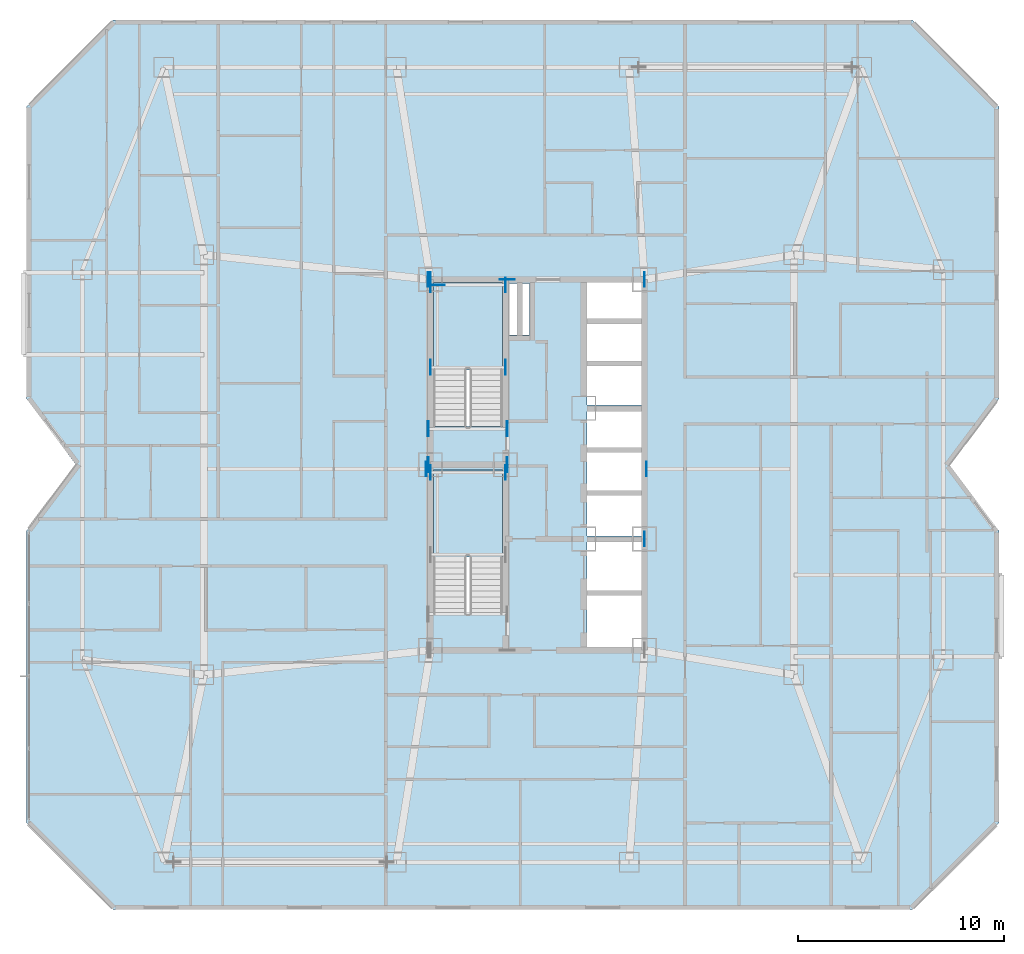
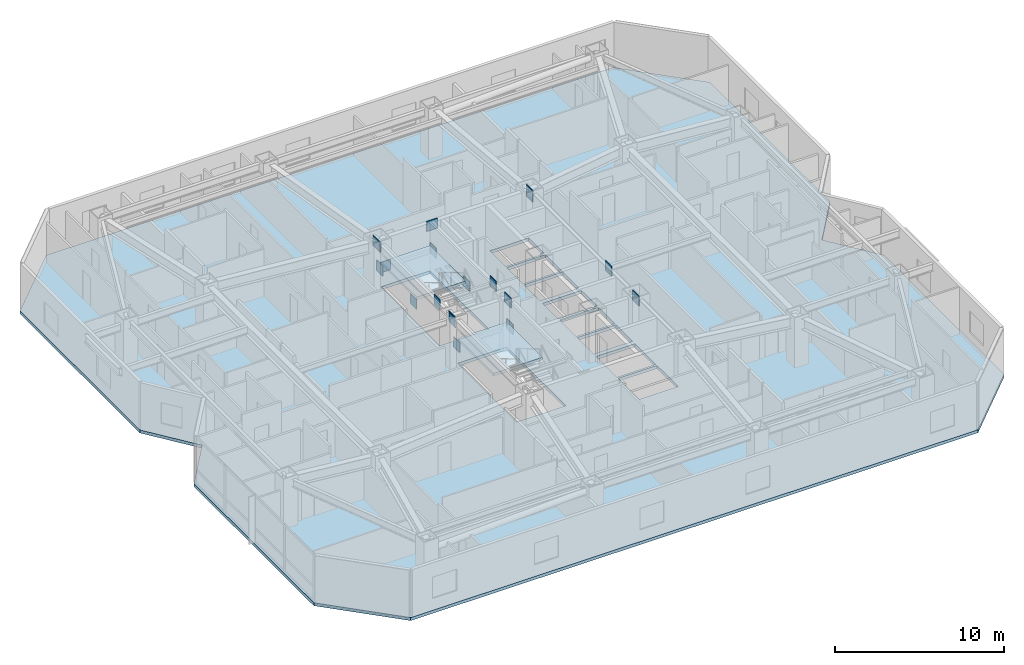
# One storey, part 8 of 19: 19 plates, 3 slabs, 2 elements without a shape of their own.
"""IFC4 building model written with IfcOpenShell, lengths in metres."""

from ifc_helpers import new_model, si_unit, direction, frame, origin, origin_2d, place, context, subcontext, project, spatial, polyline, rectangle, outline, extrude, material, layer, layer_set, type_object, element, aggregate, save


model = new_model("IFC4")

# Units and contexts
model_context = context("Model", 3, precision=1e-05, world=origin(), true_north=direction((0.0, 1.0)))
body_context = subcontext(model_context, "Body", "Model", "MODEL_VIEW")
ifc_project = project(units=[si_unit("LENGTHUNIT", "METRE"), si_unit("AREAUNIT", "SQUARE_METRE"), si_unit("VOLUMEUNIT", "CUBIC_METRE"), si_unit("PLANEANGLEUNIT", "RADIAN"), si_unit("MASSUNIT", "GRAM", prefix="KILO")], contexts=[model_context])

# Site, building, storey
site_placement = place(None, origin())
site = spatial("IfcSite", under=ifc_project, at=site_placement, CompositionType="ELEMENT")
building_placement = place(site_placement, origin())
building = spatial("IfcBuilding", under=site, at=building_placement, Name="Khamvora Tower", CompositionType="ELEMENT")
storey_placement = place(building_placement, frame((0.0, 0.0, 120.14990234375)))
storey = spatial("IfcBuildingStorey", under=building, at=storey_placement, Name="L30", CompositionType="ELEMENT", Elevation=120.14990234375)

# Plates
ifc_material_1 = material(Name="Steel S460", Category="steel")
ifc_layer_1 = layer(ifc_material_1, 0.034912109375)
ifc_layer_set_1 = layer_set([ifc_layer_1], Name="Steel S460")
plate_type = type_object("IfcPlateType", Name="PL-EMB-35", PredefinedType="SHEET", material=ifc_layer_set_1)
for number, where, z_axis, x_axis, name in (
    (1, (29.0, 27.6298828125, 1.13427734375), (0.0, 0.0, 1.0), (1.0, 0.0, 0.0), "L30 core shear wall cast-in embed plate 0882"),
    (2, (32.64990234375, 27.6298828125, 1.13427734375), (0.0, 0.0, 1.0), (1.0, 0.0, 0.0), "L30 core shear wall cast-in embed plate 0883"),
    (3, (29.0, 32.735107421875, 1.13427734375), (0.0, 0.0, 1.0), (1.0, 0.0, 0.0), "L30 core shear wall cast-in embed plate 0884"),
    (4, (32.64990234375, 32.735107421875, 1.13427734375), (0.0, 0.0, 1.0), (1.0, 0.0, 0.0), "L30 core shear wall cast-in embed plate 0885"),
    (5, (29.0, 36.72998046875, 1.13427734375), (0.0, 0.0, 1.0), (1.0, 0.0, 0.0), "L30 core shear wall cast-in embed plate 0886"),
    (6, (32.64990234375, 36.72998046875, 1.13427734375), (0.0, 0.0, 1.0), (1.0, 0.0, 0.0), "L30 core shear wall cast-in embed plate 0887"),
):
    element("IfcPlate", number, at=place(storey_placement, frame(where, z_axis=z_axis, x_axis=x_axis)), inside=storey, type_object=plate_type, Name=name, PredefinedType="SHEET", context=body_context, shape_type="SweptSolid", body=[
        extrude(rectangle(XDim=0.034912109375, YDim=0.719970703125, at=origin_2d()), origin(), (0.0, 0.0, 1.0), 0.719970703125),
    ])
plate_1_placement = place(storey_placement, frame((29.35009765625, 36.72998046875, 1.13427734375), z_axis=(0.0, 0.0, 1.0), x_axis=(1.0, 0.0, 0.0)))
element("IfcPlate", 7, at=plate_1_placement, inside=storey, type_object=plate_type, Name="L30 core shear wall cast-in embed plate 0888", PredefinedType="SHEET", context=body_context, shape_type="SweptSolid", body=[
    extrude(rectangle(XDim=0.719970703125, YDim=0.034912109375, at=origin_2d()), origin(), (0.0, 0.0, 1.0), 0.719970703125),
])
for number, where, z_axis, x_axis, name in (
    (8, (29.0, 37.0, 2.68408203125), (0.0, 0.0, 1.0), (1.0, 0.0, 0.0), "L30 core shear wall cast-in embed plate 0891"),
    (9, (39.39990234375, 37.0, 2.68408203125), (0.0, 0.0, 1.0), (1.0, 0.0, 0.0), "L30 core shear wall cast-in embed plate 0892"),
    (10, (28.89990234375, 28.0, 2.80419921875), (0.0, 0.0, 1.0), (1.0, 0.0, 0.0), "L30 core shear wall cast-in embed plate 0894"),
    (11, (28.89990234375, 37.0, 2.80419921875), (0.0, 0.0, 1.0), (1.0, 0.0, 0.0), "L30 core shear wall cast-in embed plate 0895"),
    (12, (32.72998046875, 28.0, 2.80419921875), (0.0, 0.0, 1.0), (1.0, 0.0, 0.0), "L30 core shear wall cast-in embed plate 0897"),
):
    element("IfcPlate", number, at=place(storey_placement, frame(where, z_axis=z_axis, x_axis=x_axis)), inside=storey, type_object=plate_type, Name=name, PredefinedType="SHEET", context=body_context, shape_type="SweptSolid", body=[
        extrude(rectangle(XDim=0.034912109375, YDim=0.719970703125, at=origin_2d()), origin(), (0.0, 0.0, 1.0), 0.719970703125),
    ])
plate_2_placement = place(storey_placement, frame((32.72998046875, 37.0, 2.80419921875), z_axis=(0.0, 0.0, 1.0), x_axis=(1.0, 0.0, 0.0)))
element("IfcPlate", 13, at=plate_2_placement, inside=storey, type_object=plate_type, Name="L30 core shear wall cast-in embed plate 0898", PredefinedType="SHEET", context=body_context, shape_type="SweptSolid", body=[
    extrude(rectangle(XDim=0.719970703125, YDim=0.034912109375, at=origin_2d()), origin(), (0.0, 0.0, 1.0), 0.719970703125),
])
for number, where, z_axis, x_axis, name in (
    (14, (39.39990234375, 24.39990234375, 2.80419921875), (0.0, 0.0, 1.0), (1.0, 0.0, 0.0), "L30 core shear wall cast-in embed plate 0900"),
    (15, (39.39990234375, 37.0, 2.80419921875), (0.0, 0.0, 1.0), (1.0, 0.0, 0.0), "L30 core shear wall cast-in embed plate 0901"),
    (16, (28.89990234375, 29.75, 2.9443359375), (0.0, 0.0, 1.0), (1.0, 0.0, 0.0), "L30 core shear wall cast-in embed plate 0904"),
    (17, (32.72998046875, 29.75, 2.9443359375), (0.0, 0.0, 1.0), (1.0, 0.0, 0.0), "L30 core shear wall cast-in embed plate 0905"),
    (18, (28.800048828125, 27.800048828125, 2.8662109375), (0.0, 0.0, 1.0), (1.0, 0.0, 0.0), "L30 core shear wall cast-in embed plate 0906"),
    (19, (39.4990234375, 27.800048828125, 2.8662109375), (0.0, 0.0, 1.0), (1.0, 0.0, 0.0), "L30 core shear wall cast-in embed plate 0907"),
):
    element("IfcPlate", number, at=place(storey_placement, frame(where, z_axis=z_axis, x_axis=x_axis)), inside=storey, type_object=plate_type, Name=name, PredefinedType="SHEET", context=body_context, shape_type="SweptSolid", body=[
        extrude(rectangle(XDim=0.034912109375, YDim=0.719970703125, at=origin_2d()), origin(), (0.0, 0.0, 1.0), 0.719970703125),
    ])

# Stair, slab
ifc_material_2 = material(Name="Concrete C40/50", Category="concrete")
stair_type_1 = type_object("IfcStairType", Name="STR-ST-01", PredefinedType="HALF_TURN_STAIR", material=ifc_material_2)
stair_1_placement = place(storey_placement, origin())
stair_1 = element("IfcStair", 20, at=stair_1_placement, inside=storey, type_object=stair_type_1, Name="L30 South Tower Exit Stair ST-01", PredefinedType="HALF_TURN_STAIR")
ifc_layer_2 = layer(ifc_material_2, 0.199951171875)
ifc_layer_set_2 = layer_set([ifc_layer_2], Name="Concrete C40/50")
slab_type_1 = type_object("IfcSlabType", Name="SLB-LND-200", PredefinedType="LANDING", material=ifc_layer_set_2)
slab_1_placement = place(storey_placement, frame((0.0, 0.0, 1.625)))
slab_1 = element("IfcSlab", 21, at=slab_1_placement, type_object=slab_type_1, Name="ST-01 landing 1", PredefinedType="LANDING", context=body_context, shape_type="SweptSolid", body=[
    extrude(outline(polyline([(32.5, 23.514892578125), (32.5, 27.75), (29.14990234375, 27.75), (29.14990234375, 23.514892578125), (32.5, 23.514892578125)])), origin(), (0.0, 0.0, 1.0), 0.2001953125),
])
aggregate(stair_1, [slab_1])

stair_type_2 = type_object("IfcStairType", Name="STR-ST-02", PredefinedType="HALF_TURN_STAIR", material=ifc_material_2)
stair_2_placement = place(storey_placement, origin())
stair_2 = element("IfcStair", 22, at=stair_2_placement, inside=storey, type_object=stair_type_2, Name="L30 North Tower Exit Stair ST-02", PredefinedType="HALF_TURN_STAIR")
slab_2_placement = place(storey_placement, frame((0.0, 0.0, 1.625)))
slab_2 = element("IfcSlab", 23, at=slab_2_placement, type_object=slab_type_1, Name="ST-02 landing 1", PredefinedType="LANDING", context=body_context, shape_type="SweptSolid", body=[
    extrude(outline(polyline([(32.5, 32.614990234375), (32.5, 36.85009765625), (29.14990234375, 36.85009765625), (29.14990234375, 32.614990234375), (32.5, 32.614990234375)])), origin(), (0.0, 0.0, 1.0), 0.2001953125),
])
aggregate(stair_2, [slab_2])

# Slab
ifc_material_3 = material(Name="Concrete C35/45", Category="concrete")
ifc_layer_3 = layer(ifc_material_3, 0.219970703125)
ifc_layer_set_3 = layer_set([ifc_layer_3], Name="Concrete C35/45")
slab_type_2 = type_object("IfcSlabType", Name="SLB-TYP-220", PredefinedType="FLOOR", material=ifc_layer_set_3)
slab_3_placement = place(storey_placement, frame((0.0, 0.0, -0.219970703125)))
element("IfcSlab", 24, at=slab_3_placement, inside=storey, type_object=slab_type_2, Name="L30 structural floor slab", PredefinedType="FLOOR", context=body_context, shape_type="SweptSolid", body=[
    extrude(outline(polyline([(13.60009765625, 6.39990234375), (52.39990234375, 6.39990234375), (56.60009765625, 10.60009765625), (56.60009765625, 24.800048828125), (54.199951171875, 28.0), (56.60009765625, 31.199951171875), (56.60009765625, 45.39990234375), (52.39990234375, 49.60009765625), (13.60009765625, 49.60009765625), (9.39990234375, 45.39990234375), (9.39990234375, 31.199951171875), (11.800048828125, 28.0), (9.39990234375, 24.800048828125), (9.39990234375, 10.60009765625), (13.60009765625, 6.39990234375)]), holes=[polyline([(32.5, 20.760009765625), (32.5, 27.75), (29.14990234375, 27.75), (29.14990234375, 20.760009765625), (32.5, 20.760009765625)]), polyline([(32.5, 29.860107421875), (32.5, 36.85009765625), (29.14990234375, 36.85009765625), (29.14990234375, 29.860107421875), (32.5, 29.860107421875)]), polyline([(36.60009765625, 19.14990234375), (39.25, 19.14990234375), (39.25, 21.64990234375), (36.60009765625, 21.64990234375), (36.60009765625, 19.14990234375)]), polyline([(36.60009765625, 21.800048828125), (39.25, 21.800048828125), (39.25, 24.25), (36.60009765625, 24.25), (36.60009765625, 21.800048828125)]), polyline([(36.60009765625, 24.550048828125), (39.25, 24.550048828125), (39.25, 26.5), (36.60009765625, 26.5), (36.60009765625, 24.550048828125)]), polyline([(36.60009765625, 26.64990234375), (39.25, 26.64990234375), (39.25, 28.60009765625), (36.60009765625, 28.60009765625), (36.60009765625, 26.64990234375)]), polyline([(36.60009765625, 28.75), (39.25, 28.75), (39.25, 30.60009765625), (36.60009765625, 30.60009765625), (36.60009765625, 28.75)]), polyline([(36.60009765625, 30.89990234375), (39.25, 30.89990234375), (39.25, 32.800048828125), (36.60009765625, 32.800048828125), (36.60009765625, 30.89990234375)]), polyline([(36.60009765625, 32.949951171875), (39.25, 32.949951171875), (39.25, 34.85009765625), (36.60009765625, 34.85009765625), (36.60009765625, 32.949951171875)]), polyline([(36.60009765625, 35.0), (39.25, 35.0), (39.25, 36.85009765625), (36.60009765625, 36.85009765625), (36.60009765625, 35.0)]), polyline([(32.800048828125, 34.300048828125), (33.199951171875, 34.300048828125), (33.199951171875, 36.800048828125), (32.800048828125, 36.800048828125), (32.800048828125, 34.300048828125)]), polyline([(33.47998046875, 34.300048828125), (33.820068359375, 34.300048828125), (33.820068359375, 36.800048828125), (33.47998046875, 36.800048828125), (33.47998046875, 34.300048828125)])]), origin(), (0.0, 0.0, 1.0), 0.219970703125),
])

save(model, "model.ifc")
